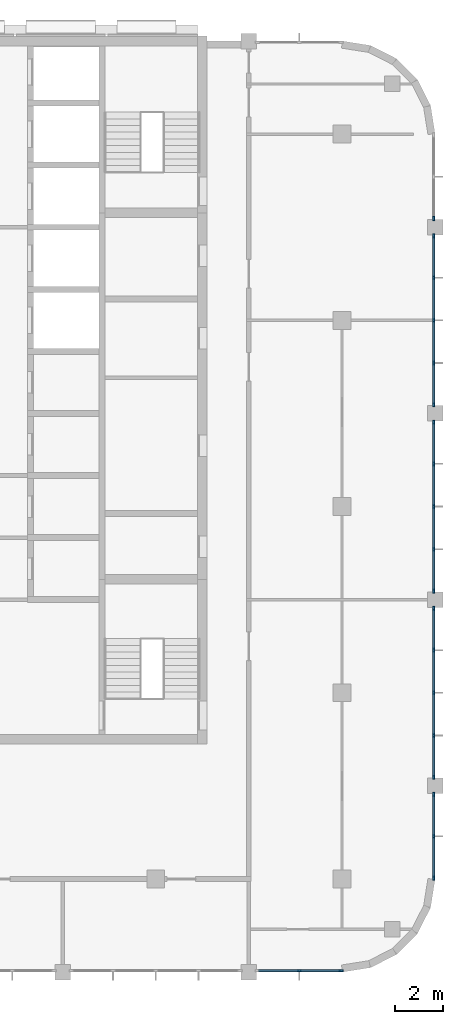
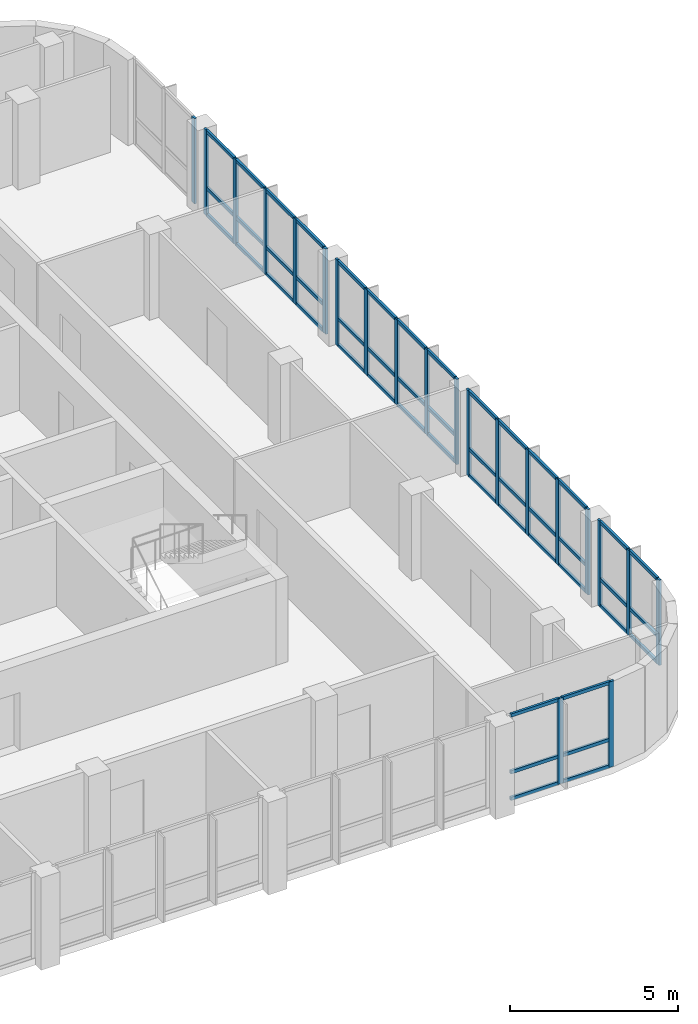
# One storey, part 5 of 17: 69 members, 6 elements without a shape of their own.
"""IFC4 building model written with IfcOpenShell, lengths in metres."""

from ifc_helpers import new_model, si_unit, direction, frame, origin, origin_2d, place, context, subcontext, project, spatial, rectangle, extrude, material, material_profile, profile_set, type_object, element, aggregate, save


model = new_model("IFC4")

# Units and contexts
model_context = context("Model", 3, precision=1e-05, world=origin(), true_north=direction((0.0, 1.0)))
body_context = subcontext(model_context, "Body", "Model", "MODEL_VIEW")
ifc_project = project(units=[si_unit("LENGTHUNIT", "METRE"), si_unit("AREAUNIT", "SQUARE_METRE"), si_unit("VOLUMEUNIT", "CUBIC_METRE"), si_unit("PLANEANGLEUNIT", "RADIAN"), si_unit("MASSUNIT", "GRAM", prefix="KILO")], contexts=[model_context])

# Site, building, storey
site_placement = place(None, origin())
site = spatial("IfcSite", under=ifc_project, at=site_placement, CompositionType="ELEMENT")
building_placement = place(site_placement, origin())
building = spatial("IfcBuilding", under=site, at=building_placement, Name="Ludao Terraces", CompositionType="ELEMENT")
storey_placement = place(building_placement, frame((0.0, 0.0, 263.0)))
storey = spatial("IfcBuildingStorey", under=building, at=storey_placement, Name="L72", CompositionType="ELEMENT", Elevation=263.0)

# Curtain wall, members
ifc_material_1 = material(Name="Aluminium curtain wall with fritted glass", Category="aluminium")
curtain_wall_type = type_object("IfcCurtainWallType", Name="ENV CW4 lounge glazing", PredefinedType="NOTDEFINED", material=ifc_material_1)
curtain_wall_1_placement = place(storey_placement, origin())
curtain_wall_1 = element("IfcCurtainWall", 1, at=curtain_wall_1_placement, inside=storey, type_object=curtain_wall_type, Name="Sky lounge glazing L72 S5", PredefinedType="NOTDEFINED")
ifc_material_2 = material(Name="Aluminium 6063-T6", Category="aluminium")
ifc_material_profile_1 = material_profile(ifc_material_2, rectangle(XDim=0.080078125, YDim=0.179931640625, at=origin_2d()), Name="80 X 180")
ifc_profile_set_1 = profile_set([ifc_material_profile_1], Name="Aluminium 6063-T6")
member_type_1 = type_object("IfcMemberType", Name="ENV CW4 mullion 80x180", PredefinedType="MULLION", material=ifc_profile_set_1)
member_1_placement = place(storey_placement, frame((98.8125, 45.56005859375, 0.0), z_axis=(0.0, 0.0, 1.0), x_axis=(0.0, 1.0, 0.0)))
member_1 = element("IfcMember", 2, at=member_1_placement, type_object=member_type_1, Name="CW4 mullion 2", PredefinedType="MULLION", context=body_context, shape_type="SweptSolid", body=[
    extrude(rectangle(XDim=0.080078125, YDim=0.179931640625, at=origin_2d()), origin(), (0.0, 0.0, 1.0), 3.10009765625),
])
member_2_placement = place(storey_placement, frame((100.56005859375, 45.56005859375, 0.0), z_axis=(0.0, 0.0, 1.0), x_axis=(0.0, 1.0, 0.0)))
member_2 = element("IfcMember", 3, at=member_2_placement, type_object=member_type_1, Name="CW4 mullion 3", PredefinedType="MULLION", context=body_context, shape_type="SweptSolid", body=[
    extrude(rectangle(XDim=0.080078125, YDim=0.179931640625, at=origin_2d()), origin(), (0.0, 0.0, 1.0), 3.10009765625),
])

curtain_wall_2_placement = place(storey_placement, origin())
curtain_wall_2 = element("IfcCurtainWall", 4, at=curtain_wall_2_placement, inside=storey, type_object=curtain_wall_type, Name="Sky lounge glazing L72 E1", PredefinedType="NOTDEFINED")
member_3_placement = place(storey_placement, frame((104.43994140625, 49.43994140625, 0.0), z_axis=(0.0, 0.0, 1.0), x_axis=(-1.0, 0.0, 0.0)))
member_3 = element("IfcMember", 5, at=member_3_placement, type_object=member_type_1, Name="CW4 mullion 1", PredefinedType="MULLION", context=body_context, shape_type="SweptSolid", body=[
    extrude(rectangle(XDim=0.080078125, YDim=0.179931640625, at=origin_2d()), origin(), (0.0, 0.0, 1.0), 3.10009765625),
])
member_4_placement = place(storey_placement, frame((104.43994140625, 51.1875, 0.0), z_axis=(0.0, 0.0, 1.0), x_axis=(-1.0, 0.0, 0.0)))
member_4 = element("IfcMember", 6, at=member_4_placement, type_object=member_type_1, Name="CW4 mullion 2", PredefinedType="MULLION", context=body_context, shape_type="SweptSolid", body=[
    extrude(rectangle(XDim=0.080078125, YDim=0.179931640625, at=origin_2d()), origin(), (0.0, 0.0, 1.0), 3.10009765625),
])
member_5_placement = place(storey_placement, frame((104.43994140625, 52.93505859375, 0.0), z_axis=(0.0, 0.0, 1.0), x_axis=(-1.0, 0.0, 0.0)))
member_5 = element("IfcMember", 7, at=member_5_placement, type_object=member_type_1, Name="CW4 mullion 3", PredefinedType="MULLION", context=body_context, shape_type="SweptSolid", body=[
    extrude(rectangle(XDim=0.080078125, YDim=0.179931640625, at=origin_2d()), origin(), (0.0, 0.0, 1.0), 3.10009765625),
])

curtain_wall_3_placement = place(storey_placement, origin())
curtain_wall_3 = element("IfcCurtainWall", 8, at=curtain_wall_3_placement, inside=storey, type_object=curtain_wall_type, Name="Sky lounge glazing L72 E2", PredefinedType="NOTDEFINED")
member_6_placement = place(storey_placement, frame((104.43994140625, 53.6650390625, 0.0), z_axis=(0.0, 0.0, 1.0), x_axis=(-1.0, 0.0, 0.0)))
member_6 = element("IfcMember", 9, at=member_6_placement, type_object=member_type_1, Name="CW4 mullion 1", PredefinedType="MULLION", context=body_context, shape_type="SweptSolid", body=[
    extrude(rectangle(XDim=0.080078125, YDim=0.179931640625, at=origin_2d()), origin(), (0.0, 0.0, 1.0), 3.10009765625),
])
member_7_placement = place(storey_placement, frame((104.43994140625, 55.41259765625, 0.0), z_axis=(0.0, 0.0, 1.0), x_axis=(-1.0, 0.0, 0.0)))
member_7 = element("IfcMember", 10, at=member_7_placement, type_object=member_type_1, Name="CW4 mullion 2", PredefinedType="MULLION", context=body_context, shape_type="SweptSolid", body=[
    extrude(rectangle(XDim=0.080078125, YDim=0.179931640625, at=origin_2d()), origin(), (0.0, 0.0, 1.0), 3.10009765625),
])
member_8_placement = place(storey_placement, frame((104.43994140625, 57.199951171875, 0.0), z_axis=(0.0, 0.0, 1.0), x_axis=(-1.0, 0.0, 0.0)))
member_8 = element("IfcMember", 11, at=member_8_placement, type_object=member_type_1, Name="CW4 mullion 3", PredefinedType="MULLION", context=body_context, shape_type="SweptSolid", body=[
    extrude(rectangle(XDim=0.080078125, YDim=0.179931640625, at=origin_2d()), origin(), (0.0, 0.0, 1.0), 3.10009765625),
])
member_9_placement = place(storey_placement, frame((104.43994140625, 58.987548828125, 0.0), z_axis=(0.0, 0.0, 1.0), x_axis=(-1.0, 0.0, 0.0)))
member_9 = element("IfcMember", 12, at=member_9_placement, type_object=member_type_1, Name="CW4 mullion 4", PredefinedType="MULLION", context=body_context, shape_type="SweptSolid", body=[
    extrude(rectangle(XDim=0.080078125, YDim=0.179931640625, at=origin_2d()), origin(), (0.0, 0.0, 1.0), 3.10009765625),
])
member_10_placement = place(storey_placement, frame((104.43994140625, 60.735107421875, 0.0), z_axis=(0.0, 0.0, 1.0), x_axis=(-1.0, 0.0, 0.0)))
member_10 = element("IfcMember", 13, at=member_10_placement, type_object=member_type_1, Name="CW4 mullion 5", PredefinedType="MULLION", context=body_context, shape_type="SweptSolid", body=[
    extrude(rectangle(XDim=0.080078125, YDim=0.179931640625, at=origin_2d()), origin(), (0.0, 0.0, 1.0), 3.10009765625),
])

curtain_wall_4_placement = place(storey_placement, origin())
curtain_wall_4 = element("IfcCurtainWall", 14, at=curtain_wall_4_placement, inside=storey, type_object=curtain_wall_type, Name="Sky lounge glazing L72 E3", PredefinedType="NOTDEFINED")
member_11_placement = place(storey_placement, frame((104.43994140625, 61.465087890625, 0.0), z_axis=(0.0, 0.0, 1.0), x_axis=(-1.0, 0.0, 0.0)))
member_11 = element("IfcMember", 15, at=member_11_placement, type_object=member_type_1, Name="CW4 mullion 1", PredefinedType="MULLION", context=body_context, shape_type="SweptSolid", body=[
    extrude(rectangle(XDim=0.080078125, YDim=0.179931640625, at=origin_2d()), origin(), (0.0, 0.0, 1.0), 3.10009765625),
])
member_12_placement = place(storey_placement, frame((104.43994140625, 63.21240234375, 0.0), z_axis=(0.0, 0.0, 1.0), x_axis=(-1.0, 0.0, 0.0)))
member_12 = element("IfcMember", 16, at=member_12_placement, type_object=member_type_1, Name="CW4 mullion 2", PredefinedType="MULLION", context=body_context, shape_type="SweptSolid", body=[
    extrude(rectangle(XDim=0.080078125, YDim=0.179931640625, at=origin_2d()), origin(), (0.0, 0.0, 1.0), 3.10009765625),
])
member_13_placement = place(storey_placement, frame((104.43994140625, 65.0, 0.0), z_axis=(0.0, 0.0, 1.0), x_axis=(-1.0, 0.0, 0.0)))
member_13 = element("IfcMember", 17, at=member_13_placement, type_object=member_type_1, Name="CW4 mullion 3", PredefinedType="MULLION", context=body_context, shape_type="SweptSolid", body=[
    extrude(rectangle(XDim=0.080078125, YDim=0.179931640625, at=origin_2d()), origin(), (0.0, 0.0, 1.0), 3.10009765625),
])
member_14_placement = place(storey_placement, frame((104.43994140625, 66.78759765625, 0.0), z_axis=(0.0, 0.0, 1.0), x_axis=(-1.0, 0.0, 0.0)))
member_14 = element("IfcMember", 18, at=member_14_placement, type_object=member_type_1, Name="CW4 mullion 4", PredefinedType="MULLION", context=body_context, shape_type="SweptSolid", body=[
    extrude(rectangle(XDim=0.080078125, YDim=0.179931640625, at=origin_2d()), origin(), (0.0, 0.0, 1.0), 3.10009765625),
])
member_15_placement = place(storey_placement, frame((104.43994140625, 68.534912109375, 0.0), z_axis=(0.0, 0.0, 1.0), x_axis=(-1.0, 0.0, 0.0)))
member_15 = element("IfcMember", 19, at=member_15_placement, type_object=member_type_1, Name="CW4 mullion 5", PredefinedType="MULLION", context=body_context, shape_type="SweptSolid", body=[
    extrude(rectangle(XDim=0.080078125, YDim=0.179931640625, at=origin_2d()), origin(), (0.0, 0.0, 1.0), 3.10009765625),
])

curtain_wall_5_placement = place(storey_placement, origin())
curtain_wall_5 = element("IfcCurtainWall", 20, at=curtain_wall_5_placement, inside=storey, type_object=curtain_wall_type, Name="Sky lounge glazing L72 E4", PredefinedType="NOTDEFINED")
member_16_placement = place(storey_placement, frame((104.43994140625, 69.264892578125, 0.0), z_axis=(0.0, 0.0, 1.0), x_axis=(-1.0, 0.0, 0.0)))
member_16 = element("IfcMember", 21, at=member_16_placement, type_object=member_type_1, Name="CW4 mullion 1", PredefinedType="MULLION", context=body_context, shape_type="SweptSolid", body=[
    extrude(rectangle(XDim=0.080078125, YDim=0.179931640625, at=origin_2d()), origin(), (0.0, 0.0, 1.0), 3.10009765625),
])
member_17_placement = place(storey_placement, frame((104.43994140625, 71.012451171875, 0.0), z_axis=(0.0, 0.0, 1.0), x_axis=(-1.0, 0.0, 0.0)))
member_17 = element("IfcMember", 22, at=member_17_placement, type_object=member_type_1, Name="CW4 mullion 2", PredefinedType="MULLION", context=body_context, shape_type="SweptSolid", body=[
    extrude(rectangle(XDim=0.080078125, YDim=0.179931640625, at=origin_2d()), origin(), (0.0, 0.0, 1.0), 3.10009765625),
])
member_18_placement = place(storey_placement, frame((104.43994140625, 72.800048828125, 0.0), z_axis=(0.0, 0.0, 1.0), x_axis=(-1.0, 0.0, 0.0)))
member_18 = element("IfcMember", 23, at=member_18_placement, type_object=member_type_1, Name="CW4 mullion 3", PredefinedType="MULLION", context=body_context, shape_type="SweptSolid", body=[
    extrude(rectangle(XDim=0.080078125, YDim=0.179931640625, at=origin_2d()), origin(), (0.0, 0.0, 1.0), 3.10009765625),
])
member_19_placement = place(storey_placement, frame((104.43994140625, 74.58740234375, 0.0), z_axis=(0.0, 0.0, 1.0), x_axis=(-1.0, 0.0, 0.0)))
member_19 = element("IfcMember", 24, at=member_19_placement, type_object=member_type_1, Name="CW4 mullion 4", PredefinedType="MULLION", context=body_context, shape_type="SweptSolid", body=[
    extrude(rectangle(XDim=0.080078125, YDim=0.179931640625, at=origin_2d()), origin(), (0.0, 0.0, 1.0), 3.10009765625),
])
member_20_placement = place(storey_placement, frame((104.43994140625, 76.3349609375, 0.0), z_axis=(0.0, 0.0, 1.0), x_axis=(-1.0, 0.0, 0.0)))
member_20 = element("IfcMember", 25, at=member_20_placement, type_object=member_type_1, Name="CW4 mullion 5", PredefinedType="MULLION", context=body_context, shape_type="SweptSolid", body=[
    extrude(rectangle(XDim=0.080078125, YDim=0.179931640625, at=origin_2d()), origin(), (0.0, 0.0, 1.0), 3.10009765625),
])

# Curtain wall, member
curtain_wall_6_placement = place(storey_placement, origin())
curtain_wall_6 = element("IfcCurtainWall", 26, at=curtain_wall_6_placement, inside=storey, type_object=curtain_wall_type, Name="Sky lounge glazing L72 E5", PredefinedType="NOTDEFINED")
member_21_placement = place(storey_placement, frame((104.43994140625, 77.06494140625, 0.0), z_axis=(0.0, 0.0, 1.0), x_axis=(-1.0, 0.0, 0.0)))
member_21 = element("IfcMember", 27, at=member_21_placement, type_object=member_type_1, Name="CW4 mullion 1", PredefinedType="MULLION", context=body_context, shape_type="SweptSolid", body=[
    extrude(rectangle(XDim=0.080078125, YDim=0.179931640625, at=origin_2d()), origin(), (0.0, 0.0, 1.0), 3.10009765625),
])
aggregate(curtain_wall_6, [member_21])

# Member
ifc_material_profile_2 = material_profile(ifc_material_2, rectangle(XDim=0.080078125, YDim=0.1201171875, at=origin_2d()), Name="80 X 120")
ifc_profile_set_2 = profile_set([ifc_material_profile_2], Name="Aluminium 6063-T6")
member_type_2 = type_object("IfcMemberType", Name="ENV CW4 transom 80x120", PredefinedType="USERDEFINED", material=ifc_profile_set_2)
member_22_placement = place(storey_placement, frame((97.10498046875, 45.56005859375, 0.0400390625), z_axis=(1.0, 0.0, 0.0), x_axis=(0.0, 1.0, 0.0)))
member_22 = element("IfcMember", 28, at=member_22_placement, type_object=member_type_2, Name="CW4 transom 1.1", ObjectType="TRANSOM", PredefinedType="USERDEFINED", context=body_context, shape_type="SweptSolid", body=[
    extrude(rectangle(XDim=0.080078125, YDim=0.1201171875, at=origin_2d()), origin(), (0.0, 0.0, 1.0), 1.66748046875),
])

member_23_placement = place(storey_placement, frame((97.10498046875, 45.56005859375, 1.0), z_axis=(1.0, 0.0, 0.0), x_axis=(0.0, 1.0, 0.0)))
member_23 = element("IfcMember", 29, at=member_23_placement, type_object=member_type_2, Name="CW4 transom 1.2", ObjectType="TRANSOM", PredefinedType="USERDEFINED", context=body_context, shape_type="SweptSolid", body=[
    extrude(rectangle(XDim=0.080078125, YDim=0.1201171875, at=origin_2d()), origin(), (0.0, 0.0, 1.0), 1.66748046875),
])

member_24_placement = place(storey_placement, frame((97.10498046875, 45.56005859375, 3.06005859375), z_axis=(1.0, 0.0, 0.0), x_axis=(0.0, 1.0, 0.0)))
member_24 = element("IfcMember", 30, at=member_24_placement, type_object=member_type_2, Name="CW4 transom 1.3", ObjectType="TRANSOM", PredefinedType="USERDEFINED", context=body_context, shape_type="SweptSolid", body=[
    extrude(rectangle(XDim=0.080078125, YDim=0.1201171875, at=origin_2d()), origin(), (0.0, 0.0, 1.0), 1.66748046875),
])

member_25_placement = place(storey_placement, frame((98.8525390625, 45.56005859375, 0.0400390625), z_axis=(1.0, 0.0, 0.0), x_axis=(0.0, 1.0, 0.0)))
member_25 = element("IfcMember", 31, at=member_25_placement, type_object=member_type_2, Name="CW4 transom 2.1", ObjectType="TRANSOM", PredefinedType="USERDEFINED", context=body_context, shape_type="SweptSolid", body=[
    extrude(rectangle(XDim=0.080078125, YDim=0.1201171875, at=origin_2d()), origin(), (0.0, 0.0, 1.0), 1.66748046875),
])

member_26_placement = place(storey_placement, frame((98.8525390625, 45.56005859375, 1.0), z_axis=(1.0, 0.0, 0.0), x_axis=(0.0, 1.0, 0.0)))
member_26 = element("IfcMember", 32, at=member_26_placement, type_object=member_type_2, Name="CW4 transom 2.2", ObjectType="TRANSOM", PredefinedType="USERDEFINED", context=body_context, shape_type="SweptSolid", body=[
    extrude(rectangle(XDim=0.080078125, YDim=0.1201171875, at=origin_2d()), origin(), (0.0, 0.0, 1.0), 1.66748046875),
])

member_27_placement = place(storey_placement, frame((98.8525390625, 45.56005859375, 3.06005859375), z_axis=(1.0, 0.0, 0.0), x_axis=(0.0, 1.0, 0.0)))
member_27 = element("IfcMember", 33, at=member_27_placement, type_object=member_type_2, Name="CW4 transom 2.3", ObjectType="TRANSOM", PredefinedType="USERDEFINED", context=body_context, shape_type="SweptSolid", body=[
    extrude(rectangle(XDim=0.080078125, YDim=0.1201171875, at=origin_2d()), origin(), (0.0, 0.0, 1.0), 1.66748046875),
])

aggregate(curtain_wall_1, [member_1, member_2, member_22, member_23, member_24, member_25, member_26, member_27])

member_28_placement = place(storey_placement, frame((104.43994140625, 49.47998046875, 0.0400390625), z_axis=(0.0, 1.0, 0.0), x_axis=(-1.0, 0.0, 0.0)))
member_28 = element("IfcMember", 34, at=member_28_placement, type_object=member_type_2, Name="CW4 transom 1.1", ObjectType="TRANSOM", PredefinedType="USERDEFINED", context=body_context, shape_type="SweptSolid", body=[
    extrude(rectangle(XDim=0.080078125, YDim=0.1201171875, at=origin_2d()), origin(), (0.0, 0.0, 1.0), 1.66748046875),
])

member_29_placement = place(storey_placement, frame((104.43994140625, 49.47998046875, 1.0), z_axis=(0.0, 1.0, 0.0), x_axis=(-1.0, 0.0, 0.0)))
member_29 = element("IfcMember", 35, at=member_29_placement, type_object=member_type_2, Name="CW4 transom 1.2", ObjectType="TRANSOM", PredefinedType="USERDEFINED", context=body_context, shape_type="SweptSolid", body=[
    extrude(rectangle(XDim=0.080078125, YDim=0.1201171875, at=origin_2d()), origin(), (0.0, 0.0, 1.0), 1.66748046875),
])

member_30_placement = place(storey_placement, frame((104.43994140625, 49.47998046875, 3.06005859375), z_axis=(0.0, 1.0, 0.0), x_axis=(-1.0, 0.0, 0.0)))
member_30 = element("IfcMember", 36, at=member_30_placement, type_object=member_type_2, Name="CW4 transom 1.3", ObjectType="TRANSOM", PredefinedType="USERDEFINED", context=body_context, shape_type="SweptSolid", body=[
    extrude(rectangle(XDim=0.080078125, YDim=0.1201171875, at=origin_2d()), origin(), (0.0, 0.0, 1.0), 1.66748046875),
])

member_31_placement = place(storey_placement, frame((104.43994140625, 51.2275390625, 0.0400390625), z_axis=(0.0, 1.0, 0.0), x_axis=(-1.0, 0.0, 0.0)))
member_31 = element("IfcMember", 37, at=member_31_placement, type_object=member_type_2, Name="CW4 transom 2.1", ObjectType="TRANSOM", PredefinedType="USERDEFINED", context=body_context, shape_type="SweptSolid", body=[
    extrude(rectangle(XDim=0.080078125, YDim=0.1201171875, at=origin_2d()), origin(), (0.0, 0.0, 1.0), 1.66748046875),
])

member_32_placement = place(storey_placement, frame((104.43994140625, 51.2275390625, 1.0), z_axis=(0.0, 1.0, 0.0), x_axis=(-1.0, 0.0, 0.0)))
member_32 = element("IfcMember", 38, at=member_32_placement, type_object=member_type_2, Name="CW4 transom 2.2", ObjectType="TRANSOM", PredefinedType="USERDEFINED", context=body_context, shape_type="SweptSolid", body=[
    extrude(rectangle(XDim=0.080078125, YDim=0.1201171875, at=origin_2d()), origin(), (0.0, 0.0, 1.0), 1.66748046875),
])

member_33_placement = place(storey_placement, frame((104.43994140625, 51.2275390625, 3.06005859375), z_axis=(0.0, 1.0, 0.0), x_axis=(-1.0, 0.0, 0.0)))
member_33 = element("IfcMember", 39, at=member_33_placement, type_object=member_type_2, Name="CW4 transom 2.3", ObjectType="TRANSOM", PredefinedType="USERDEFINED", context=body_context, shape_type="SweptSolid", body=[
    extrude(rectangle(XDim=0.080078125, YDim=0.1201171875, at=origin_2d()), origin(), (0.0, 0.0, 1.0), 1.66748046875),
])

aggregate(curtain_wall_2, [member_3, member_4, member_5, member_28, member_29, member_30, member_31, member_32, member_33])

member_34_placement = place(storey_placement, frame((104.43994140625, 53.705078125, 0.0400390625), z_axis=(0.0, 1.0, 0.0), x_axis=(-1.0, 0.0, 0.0)))
member_34 = element("IfcMember", 40, at=member_34_placement, type_object=member_type_2, Name="CW4 transom 1.1", ObjectType="TRANSOM", PredefinedType="USERDEFINED", context=body_context, shape_type="SweptSolid", body=[
    extrude(rectangle(XDim=0.080078125, YDim=0.1201171875, at=origin_2d()), origin(), (0.0, 0.0, 1.0), 1.66748046875),
])

member_35_placement = place(storey_placement, frame((104.43994140625, 53.705078125, 1.0), z_axis=(0.0, 1.0, 0.0), x_axis=(-1.0, 0.0, 0.0)))
member_35 = element("IfcMember", 41, at=member_35_placement, type_object=member_type_2, Name="CW4 transom 1.2", ObjectType="TRANSOM", PredefinedType="USERDEFINED", context=body_context, shape_type="SweptSolid", body=[
    extrude(rectangle(XDim=0.080078125, YDim=0.1201171875, at=origin_2d()), origin(), (0.0, 0.0, 1.0), 1.66748046875),
])

member_36_placement = place(storey_placement, frame((104.43994140625, 53.705078125, 3.06005859375), z_axis=(0.0, 1.0, 0.0), x_axis=(-1.0, 0.0, 0.0)))
member_36 = element("IfcMember", 42, at=member_36_placement, type_object=member_type_2, Name="CW4 transom 1.3", ObjectType="TRANSOM", PredefinedType="USERDEFINED", context=body_context, shape_type="SweptSolid", body=[
    extrude(rectangle(XDim=0.080078125, YDim=0.1201171875, at=origin_2d()), origin(), (0.0, 0.0, 1.0), 1.66748046875),
])

member_37_placement = place(storey_placement, frame((104.43994140625, 55.452392578125, 0.0400390625), z_axis=(0.0, 1.0, 0.0), x_axis=(-1.0, 0.0, 0.0)))
member_37 = element("IfcMember", 43, at=member_37_placement, type_object=member_type_2, Name="CW4 transom 2.1", ObjectType="TRANSOM", PredefinedType="USERDEFINED", context=body_context, shape_type="SweptSolid", body=[
    extrude(rectangle(XDim=0.080078125, YDim=0.1201171875, at=origin_2d()), origin(), (0.0, 0.0, 1.0), 1.70751953125),
])

member_38_placement = place(storey_placement, frame((104.43994140625, 55.452392578125, 1.0), z_axis=(0.0, 1.0, 0.0), x_axis=(-1.0, 0.0, 0.0)))
member_38 = element("IfcMember", 44, at=member_38_placement, type_object=member_type_2, Name="CW4 transom 2.2", ObjectType="TRANSOM", PredefinedType="USERDEFINED", context=body_context, shape_type="SweptSolid", body=[
    extrude(rectangle(XDim=0.080078125, YDim=0.1201171875, at=origin_2d()), origin(), (0.0, 0.0, 1.0), 1.70751953125),
])

member_39_placement = place(storey_placement, frame((104.43994140625, 55.452392578125, 3.06005859375), z_axis=(0.0, 1.0, 0.0), x_axis=(-1.0, 0.0, 0.0)))
member_39 = element("IfcMember", 45, at=member_39_placement, type_object=member_type_2, Name="CW4 transom 2.3", ObjectType="TRANSOM", PredefinedType="USERDEFINED", context=body_context, shape_type="SweptSolid", body=[
    extrude(rectangle(XDim=0.080078125, YDim=0.1201171875, at=origin_2d()), origin(), (0.0, 0.0, 1.0), 1.70751953125),
])

member_40_placement = place(storey_placement, frame((104.43994140625, 57.239990234375, 0.0400390625), z_axis=(0.0, 1.0, 0.0), x_axis=(-1.0, 0.0, 0.0)))
member_40 = element("IfcMember", 46, at=member_40_placement, type_object=member_type_2, Name="CW4 transom 3.1", ObjectType="TRANSOM", PredefinedType="USERDEFINED", context=body_context, shape_type="SweptSolid", body=[
    extrude(rectangle(XDim=0.080078125, YDim=0.1201171875, at=origin_2d()), origin(), (0.0, 0.0, 1.0), 1.70751953125),
])

member_41_placement = place(storey_placement, frame((104.43994140625, 57.239990234375, 1.0), z_axis=(0.0, 1.0, 0.0), x_axis=(-1.0, 0.0, 0.0)))
member_41 = element("IfcMember", 47, at=member_41_placement, type_object=member_type_2, Name="CW4 transom 3.2", ObjectType="TRANSOM", PredefinedType="USERDEFINED", context=body_context, shape_type="SweptSolid", body=[
    extrude(rectangle(XDim=0.080078125, YDim=0.1201171875, at=origin_2d()), origin(), (0.0, 0.0, 1.0), 1.70751953125),
])

member_42_placement = place(storey_placement, frame((104.43994140625, 57.239990234375, 3.06005859375), z_axis=(0.0, 1.0, 0.0), x_axis=(-1.0, 0.0, 0.0)))
member_42 = element("IfcMember", 48, at=member_42_placement, type_object=member_type_2, Name="CW4 transom 3.3", ObjectType="TRANSOM", PredefinedType="USERDEFINED", context=body_context, shape_type="SweptSolid", body=[
    extrude(rectangle(XDim=0.080078125, YDim=0.1201171875, at=origin_2d()), origin(), (0.0, 0.0, 1.0), 1.70751953125),
])

member_43_placement = place(storey_placement, frame((104.43994140625, 59.027587890625, 0.0400390625), z_axis=(0.0, 1.0, 0.0), x_axis=(-1.0, 0.0, 0.0)))
member_43 = element("IfcMember", 49, at=member_43_placement, type_object=member_type_2, Name="CW4 transom 4.1", ObjectType="TRANSOM", PredefinedType="USERDEFINED", context=body_context, shape_type="SweptSolid", body=[
    extrude(rectangle(XDim=0.080078125, YDim=0.1201171875, at=origin_2d()), origin(), (0.0, 0.0, 1.0), 1.66748046875),
])

member_44_placement = place(storey_placement, frame((104.43994140625, 59.027587890625, 1.0), z_axis=(0.0, 1.0, 0.0), x_axis=(-1.0, 0.0, 0.0)))
member_44 = element("IfcMember", 50, at=member_44_placement, type_object=member_type_2, Name="CW4 transom 4.2", ObjectType="TRANSOM", PredefinedType="USERDEFINED", context=body_context, shape_type="SweptSolid", body=[
    extrude(rectangle(XDim=0.080078125, YDim=0.1201171875, at=origin_2d()), origin(), (0.0, 0.0, 1.0), 1.66748046875),
])

member_45_placement = place(storey_placement, frame((104.43994140625, 59.027587890625, 3.06005859375), z_axis=(0.0, 1.0, 0.0), x_axis=(-1.0, 0.0, 0.0)))
member_45 = element("IfcMember", 51, at=member_45_placement, type_object=member_type_2, Name="CW4 transom 4.3", ObjectType="TRANSOM", PredefinedType="USERDEFINED", context=body_context, shape_type="SweptSolid", body=[
    extrude(rectangle(XDim=0.080078125, YDim=0.1201171875, at=origin_2d()), origin(), (0.0, 0.0, 1.0), 1.66748046875),
])

aggregate(curtain_wall_3, [member_6, member_7, member_8, member_9, member_10, member_34, member_35, member_36, member_37, member_38, member_39, member_40, member_41, member_42, member_43, member_44, member_45])

member_46_placement = place(storey_placement, frame((104.43994140625, 61.5048828125, 0.0400390625), z_axis=(0.0, 1.0, 0.0), x_axis=(-1.0, 0.0, 0.0)))
member_46 = element("IfcMember", 52, at=member_46_placement, type_object=member_type_2, Name="CW4 transom 1.1", ObjectType="TRANSOM", PredefinedType="USERDEFINED", context=body_context, shape_type="SweptSolid", body=[
    extrude(rectangle(XDim=0.080078125, YDim=0.1201171875, at=origin_2d()), origin(), (0.0, 0.0, 1.0), 1.667724609375),
])

member_47_placement = place(storey_placement, frame((104.43994140625, 61.5048828125, 1.0), z_axis=(0.0, 1.0, 0.0), x_axis=(-1.0, 0.0, 0.0)))
member_47 = element("IfcMember", 53, at=member_47_placement, type_object=member_type_2, Name="CW4 transom 1.2", ObjectType="TRANSOM", PredefinedType="USERDEFINED", context=body_context, shape_type="SweptSolid", body=[
    extrude(rectangle(XDim=0.080078125, YDim=0.1201171875, at=origin_2d()), origin(), (0.0, 0.0, 1.0), 1.667724609375),
])

member_48_placement = place(storey_placement, frame((104.43994140625, 61.5048828125, 3.06005859375), z_axis=(0.0, 1.0, 0.0), x_axis=(-1.0, 0.0, 0.0)))
member_48 = element("IfcMember", 54, at=member_48_placement, type_object=member_type_2, Name="CW4 transom 1.3", ObjectType="TRANSOM", PredefinedType="USERDEFINED", context=body_context, shape_type="SweptSolid", body=[
    extrude(rectangle(XDim=0.080078125, YDim=0.1201171875, at=origin_2d()), origin(), (0.0, 0.0, 1.0), 1.667724609375),
])

member_49_placement = place(storey_placement, frame((104.43994140625, 63.25244140625, 0.0400390625), z_axis=(0.0, 1.0, 0.0), x_axis=(-1.0, 0.0, 0.0)))
member_49 = element("IfcMember", 55, at=member_49_placement, type_object=member_type_2, Name="CW4 transom 2.1", ObjectType="TRANSOM", PredefinedType="USERDEFINED", context=body_context, shape_type="SweptSolid", body=[
    extrude(rectangle(XDim=0.080078125, YDim=0.1201171875, at=origin_2d()), origin(), (0.0, 0.0, 1.0), 1.70751953125),
])

member_50_placement = place(storey_placement, frame((104.43994140625, 63.25244140625, 1.0), z_axis=(0.0, 1.0, 0.0), x_axis=(-1.0, 0.0, 0.0)))
member_50 = element("IfcMember", 56, at=member_50_placement, type_object=member_type_2, Name="CW4 transom 2.2", ObjectType="TRANSOM", PredefinedType="USERDEFINED", context=body_context, shape_type="SweptSolid", body=[
    extrude(rectangle(XDim=0.080078125, YDim=0.1201171875, at=origin_2d()), origin(), (0.0, 0.0, 1.0), 1.70751953125),
])

member_51_placement = place(storey_placement, frame((104.43994140625, 63.25244140625, 3.06005859375), z_axis=(0.0, 1.0, 0.0), x_axis=(-1.0, 0.0, 0.0)))
member_51 = element("IfcMember", 57, at=member_51_placement, type_object=member_type_2, Name="CW4 transom 2.3", ObjectType="TRANSOM", PredefinedType="USERDEFINED", context=body_context, shape_type="SweptSolid", body=[
    extrude(rectangle(XDim=0.080078125, YDim=0.1201171875, at=origin_2d()), origin(), (0.0, 0.0, 1.0), 1.70751953125),
])

member_52_placement = place(storey_placement, frame((104.43994140625, 65.0400390625, 0.0400390625), z_axis=(0.0, 1.0, 0.0), x_axis=(-1.0, 0.0, 0.0)))
member_52 = element("IfcMember", 58, at=member_52_placement, type_object=member_type_2, Name="CW4 transom 3.1", ObjectType="TRANSOM", PredefinedType="USERDEFINED", context=body_context, shape_type="SweptSolid", body=[
    extrude(rectangle(XDim=0.080078125, YDim=0.1201171875, at=origin_2d()), origin(), (0.0, 0.0, 1.0), 1.70751953125),
])

member_53_placement = place(storey_placement, frame((104.43994140625, 65.0400390625, 1.0), z_axis=(0.0, 1.0, 0.0), x_axis=(-1.0, 0.0, 0.0)))
member_53 = element("IfcMember", 59, at=member_53_placement, type_object=member_type_2, Name="CW4 transom 3.2", ObjectType="TRANSOM", PredefinedType="USERDEFINED", context=body_context, shape_type="SweptSolid", body=[
    extrude(rectangle(XDim=0.080078125, YDim=0.1201171875, at=origin_2d()), origin(), (0.0, 0.0, 1.0), 1.70751953125),
])

member_54_placement = place(storey_placement, frame((104.43994140625, 65.0400390625, 3.06005859375), z_axis=(0.0, 1.0, 0.0), x_axis=(-1.0, 0.0, 0.0)))
member_54 = element("IfcMember", 60, at=member_54_placement, type_object=member_type_2, Name="CW4 transom 3.3", ObjectType="TRANSOM", PredefinedType="USERDEFINED", context=body_context, shape_type="SweptSolid", body=[
    extrude(rectangle(XDim=0.080078125, YDim=0.1201171875, at=origin_2d()), origin(), (0.0, 0.0, 1.0), 1.70751953125),
])

member_55_placement = place(storey_placement, frame((104.43994140625, 66.827392578125, 0.0400390625), z_axis=(0.0, 1.0, 0.0), x_axis=(-1.0, 0.0, 0.0)))
member_55 = element("IfcMember", 61, at=member_55_placement, type_object=member_type_2, Name="CW4 transom 4.1", ObjectType="TRANSOM", PredefinedType="USERDEFINED", context=body_context, shape_type="SweptSolid", body=[
    extrude(rectangle(XDim=0.080078125, YDim=0.1201171875, at=origin_2d()), origin(), (0.0, 0.0, 1.0), 1.667724609375),
])

member_56_placement = place(storey_placement, frame((104.43994140625, 66.827392578125, 1.0), z_axis=(0.0, 1.0, 0.0), x_axis=(-1.0, 0.0, 0.0)))
member_56 = element("IfcMember", 62, at=member_56_placement, type_object=member_type_2, Name="CW4 transom 4.2", ObjectType="TRANSOM", PredefinedType="USERDEFINED", context=body_context, shape_type="SweptSolid", body=[
    extrude(rectangle(XDim=0.080078125, YDim=0.1201171875, at=origin_2d()), origin(), (0.0, 0.0, 1.0), 1.667724609375),
])

member_57_placement = place(storey_placement, frame((104.43994140625, 66.827392578125, 3.06005859375), z_axis=(0.0, 1.0, 0.0), x_axis=(-1.0, 0.0, 0.0)))
member_57 = element("IfcMember", 63, at=member_57_placement, type_object=member_type_2, Name="CW4 transom 4.3", ObjectType="TRANSOM", PredefinedType="USERDEFINED", context=body_context, shape_type="SweptSolid", body=[
    extrude(rectangle(XDim=0.080078125, YDim=0.1201171875, at=origin_2d()), origin(), (0.0, 0.0, 1.0), 1.667724609375),
])

aggregate(curtain_wall_4, [member_11, member_12, member_13, member_14, member_15, member_46, member_47, member_48, member_49, member_50, member_51, member_52, member_53, member_54, member_55, member_56, member_57])

member_58_placement = place(storey_placement, frame((104.43994140625, 69.304931640625, 0.0400390625), z_axis=(0.0, 1.0, 0.0), x_axis=(-1.0, 0.0, 0.0)))
member_58 = element("IfcMember", 64, at=member_58_placement, type_object=member_type_2, Name="CW4 transom 1.1", ObjectType="TRANSOM", PredefinedType="USERDEFINED", context=body_context, shape_type="SweptSolid", body=[
    extrude(rectangle(XDim=0.080078125, YDim=0.1201171875, at=origin_2d()), origin(), (0.0, 0.0, 1.0), 1.66748046875),
])

member_59_placement = place(storey_placement, frame((104.43994140625, 69.304931640625, 1.0), z_axis=(0.0, 1.0, 0.0), x_axis=(-1.0, 0.0, 0.0)))
member_59 = element("IfcMember", 65, at=member_59_placement, type_object=member_type_2, Name="CW4 transom 1.2", ObjectType="TRANSOM", PredefinedType="USERDEFINED", context=body_context, shape_type="SweptSolid", body=[
    extrude(rectangle(XDim=0.080078125, YDim=0.1201171875, at=origin_2d()), origin(), (0.0, 0.0, 1.0), 1.66748046875),
])

member_60_placement = place(storey_placement, frame((104.43994140625, 69.304931640625, 3.06005859375), z_axis=(0.0, 1.0, 0.0), x_axis=(-1.0, 0.0, 0.0)))
member_60 = element("IfcMember", 66, at=member_60_placement, type_object=member_type_2, Name="CW4 transom 1.3", ObjectType="TRANSOM", PredefinedType="USERDEFINED", context=body_context, shape_type="SweptSolid", body=[
    extrude(rectangle(XDim=0.080078125, YDim=0.1201171875, at=origin_2d()), origin(), (0.0, 0.0, 1.0), 1.66748046875),
])

member_61_placement = place(storey_placement, frame((104.43994140625, 71.052490234375, 0.0400390625), z_axis=(0.0, 1.0, 0.0), x_axis=(-1.0, 0.0, 0.0)))
member_61 = element("IfcMember", 67, at=member_61_placement, type_object=member_type_2, Name="CW4 transom 2.1", ObjectType="TRANSOM", PredefinedType="USERDEFINED", context=body_context, shape_type="SweptSolid", body=[
    extrude(rectangle(XDim=0.080078125, YDim=0.1201171875, at=origin_2d()), origin(), (0.0, 0.0, 1.0), 1.70751953125),
])

member_62_placement = place(storey_placement, frame((104.43994140625, 71.052490234375, 1.0), z_axis=(0.0, 1.0, 0.0), x_axis=(-1.0, 0.0, 0.0)))
member_62 = element("IfcMember", 68, at=member_62_placement, type_object=member_type_2, Name="CW4 transom 2.2", ObjectType="TRANSOM", PredefinedType="USERDEFINED", context=body_context, shape_type="SweptSolid", body=[
    extrude(rectangle(XDim=0.080078125, YDim=0.1201171875, at=origin_2d()), origin(), (0.0, 0.0, 1.0), 1.70751953125),
])

member_63_placement = place(storey_placement, frame((104.43994140625, 71.052490234375, 3.06005859375), z_axis=(0.0, 1.0, 0.0), x_axis=(-1.0, 0.0, 0.0)))
member_63 = element("IfcMember", 69, at=member_63_placement, type_object=member_type_2, Name="CW4 transom 2.3", ObjectType="TRANSOM", PredefinedType="USERDEFINED", context=body_context, shape_type="SweptSolid", body=[
    extrude(rectangle(XDim=0.080078125, YDim=0.1201171875, at=origin_2d()), origin(), (0.0, 0.0, 1.0), 1.70751953125),
])

member_64_placement = place(storey_placement, frame((104.43994140625, 72.840087890625, 0.0400390625), z_axis=(0.0, 1.0, 0.0), x_axis=(-1.0, 0.0, 0.0)))
member_64 = element("IfcMember", 70, at=member_64_placement, type_object=member_type_2, Name="CW4 transom 3.1", ObjectType="TRANSOM", PredefinedType="USERDEFINED", context=body_context, shape_type="SweptSolid", body=[
    extrude(rectangle(XDim=0.080078125, YDim=0.1201171875, at=origin_2d()), origin(), (0.0, 0.0, 1.0), 1.70751953125),
])

member_65_placement = place(storey_placement, frame((104.43994140625, 72.840087890625, 1.0), z_axis=(0.0, 1.0, 0.0), x_axis=(-1.0, 0.0, 0.0)))
member_65 = element("IfcMember", 71, at=member_65_placement, type_object=member_type_2, Name="CW4 transom 3.2", ObjectType="TRANSOM", PredefinedType="USERDEFINED", context=body_context, shape_type="SweptSolid", body=[
    extrude(rectangle(XDim=0.080078125, YDim=0.1201171875, at=origin_2d()), origin(), (0.0, 0.0, 1.0), 1.70751953125),
])

member_66_placement = place(storey_placement, frame((104.43994140625, 72.840087890625, 3.06005859375), z_axis=(0.0, 1.0, 0.0), x_axis=(-1.0, 0.0, 0.0)))
member_66 = element("IfcMember", 72, at=member_66_placement, type_object=member_type_2, Name="CW4 transom 3.3", ObjectType="TRANSOM", PredefinedType="USERDEFINED", context=body_context, shape_type="SweptSolid", body=[
    extrude(rectangle(XDim=0.080078125, YDim=0.1201171875, at=origin_2d()), origin(), (0.0, 0.0, 1.0), 1.70751953125),
])

member_67_placement = place(storey_placement, frame((104.43994140625, 74.62744140625, 0.0400390625), z_axis=(0.0, 1.0, 0.0), x_axis=(-1.0, 0.0, 0.0)))
member_67 = element("IfcMember", 73, at=member_67_placement, type_object=member_type_2, Name="CW4 transom 4.1", ObjectType="TRANSOM", PredefinedType="USERDEFINED", context=body_context, shape_type="SweptSolid", body=[
    extrude(rectangle(XDim=0.080078125, YDim=0.1201171875, at=origin_2d()), origin(), (0.0, 0.0, 1.0), 1.66748046875),
])

member_68_placement = place(storey_placement, frame((104.43994140625, 74.62744140625, 1.0), z_axis=(0.0, 1.0, 0.0), x_axis=(-1.0, 0.0, 0.0)))
member_68 = element("IfcMember", 74, at=member_68_placement, type_object=member_type_2, Name="CW4 transom 4.2", ObjectType="TRANSOM", PredefinedType="USERDEFINED", context=body_context, shape_type="SweptSolid", body=[
    extrude(rectangle(XDim=0.080078125, YDim=0.1201171875, at=origin_2d()), origin(), (0.0, 0.0, 1.0), 1.66748046875),
])

member_69_placement = place(storey_placement, frame((104.43994140625, 74.62744140625, 3.06005859375), z_axis=(0.0, 1.0, 0.0), x_axis=(-1.0, 0.0, 0.0)))
member_69 = element("IfcMember", 75, at=member_69_placement, type_object=member_type_2, Name="CW4 transom 4.3", ObjectType="TRANSOM", PredefinedType="USERDEFINED", context=body_context, shape_type="SweptSolid", body=[
    extrude(rectangle(XDim=0.080078125, YDim=0.1201171875, at=origin_2d()), origin(), (0.0, 0.0, 1.0), 1.66748046875),
])

aggregate(curtain_wall_5, [member_16, member_17, member_18, member_19, member_20, member_58, member_59, member_60, member_61, member_62, member_63, member_64, member_65, member_66, member_67, member_68, member_69])

save(model, "model.ifc")
